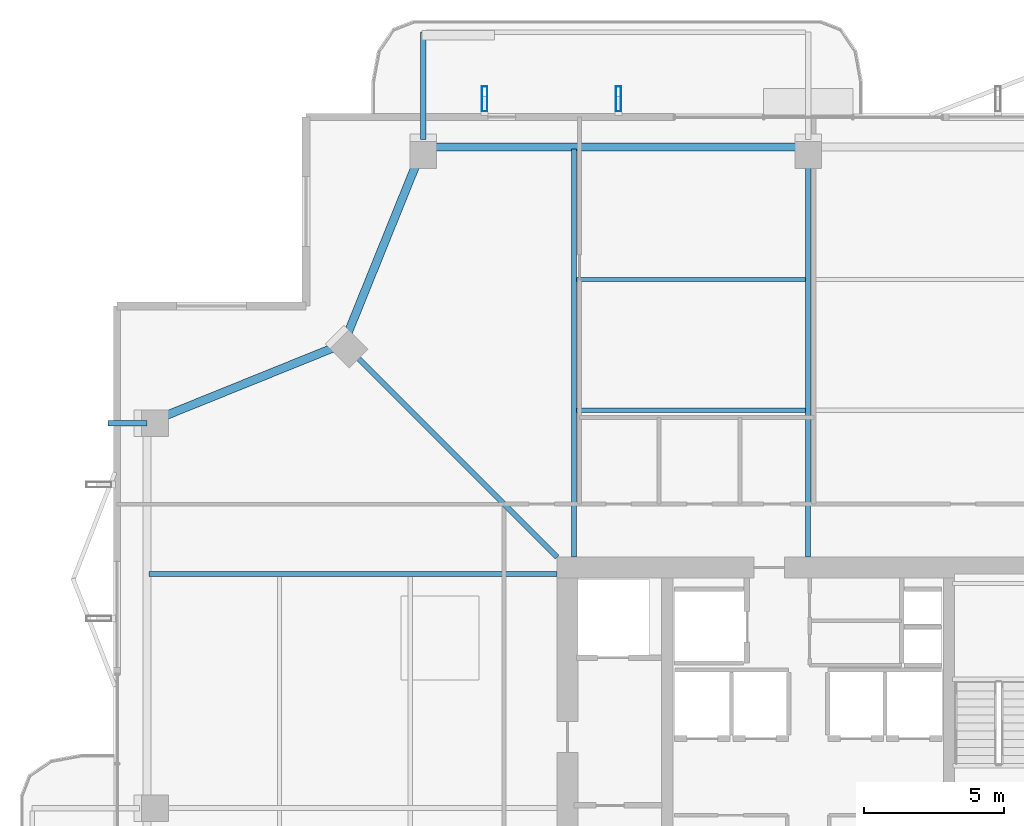
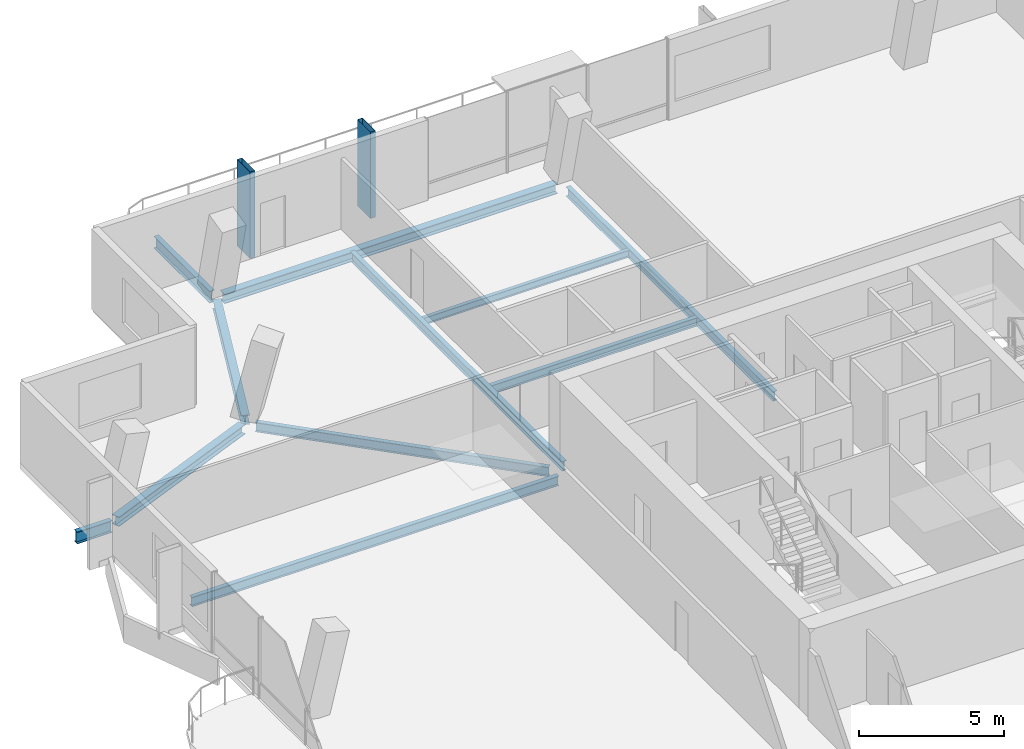
# One storey, part 12 of 25: 11 beams, 2 members.
"""IFC4 building model written with IfcOpenShell, lengths in metres."""

from ifc_helpers import new_model, si_unit, direction, frame, origin, origin_2d, place, context, subcontext, project, spatial, hollow_rectangle, i_section, extrude, material, material_profile, profile_set, type_object, element, save


model = new_model("IFC4")

# Units and contexts
model_context = context("Model", 3, precision=1e-05, world=origin(), true_north=direction((0.0, 1.0)))
body_context = subcontext(model_context, "Body", "Model", "MODEL_VIEW")
ifc_project = project(units=[si_unit("LENGTHUNIT", "METRE"), si_unit("AREAUNIT", "SQUARE_METRE"), si_unit("VOLUMEUNIT", "CUBIC_METRE"), si_unit("PLANEANGLEUNIT", "RADIAN"), si_unit("MASSUNIT", "GRAM", prefix="KILO")], contexts=[model_context])

# Site, building, storey
site_placement = place(None, origin())
site = spatial("IfcSite", under=ifc_project, at=site_placement, CompositionType="ELEMENT")
building_placement = place(site_placement, origin())
building = spatial("IfcBuilding", under=site, at=building_placement, Name="Belovzor Exchange Tower", CompositionType="ELEMENT")
storey_placement = place(building_placement, frame((0.0, 0.0, 280.35009765625)))
storey = spatial("IfcBuildingStorey", under=building, at=storey_placement, Name="L70", CompositionType="ELEMENT", Elevation=280.35009765625)

# Beams
ifc_material_1 = material(Name="Steel S355", Category="steel")
ifc_material_profile_1 = material_profile(ifc_material_1, i_section(OverallWidth=0.199951171875, OverallDepth=0.5, WebThickness=0.01025390625, FlangeThickness=0.01611328125, at=origin_2d()))
ifc_profile_set_1 = profile_set([ifc_material_profile_1], Name="Steel S355")
beam_type_1 = type_object("IfcBeamType", Name="Planted Balcony Cantilever Beam IPE 500", PredefinedType="BEAM", material=ifc_profile_set_1)
beam_1_placement = place(storey_placement, frame((15.0, 52.760986328125, -0.5), z_axis=(0.0, 1.0, 0.0), x_axis=(-1.0, 0.0, 0.0)))
element("IfcBeam", 1, at=beam_1_placement, inside=storey, type_object=beam_type_1, Name="BC-500 Planted Balcony Cantilever Beam IPE 500", PredefinedType="BEAM", context=body_context, shape_type="SweptSolid", body=[
    extrude(i_section(OverallWidth=0.199951171875, OverallDepth=0.5, WebThickness=0.01025390625, FlangeThickness=0.01611328125, at=origin_2d()), origin(), (0.0, 0.0, 1.0), 3.85009765625),
])
beam_2_placement = place(storey_placement, frame((5.10009765625, 42.60009765625, -0.5), z_axis=(-1.0, 0.0, 0.0), x_axis=(0.0, -1.0, 0.0)))
element("IfcBeam", 2, at=beam_2_placement, inside=storey, type_object=beam_type_1, Name="BC-500 Planted Balcony Cantilever Beam IPE 500", PredefinedType="BEAM", context=body_context, shape_type="SweptSolid", body=[
    extrude(i_section(OverallWidth=0.199951171875, OverallDepth=0.5, WebThickness=0.01025390625, FlangeThickness=0.01611328125, at=origin_2d()), origin(), (0.0, 0.0, 1.0), 1.400146484375),
])
ifc_material_2 = material(Name="Steel S355", Category="steel")
ifc_material_profile_2 = material_profile(ifc_material_2, i_section(OverallWidth=0.169921875, OverallDepth=0.360107421875, WebThickness=0.008056640625, FlangeThickness=0.0126953125, at=origin_2d()))
ifc_profile_set_2 = profile_set([ifc_material_profile_2], Name="Steel S355")
beam_type_2 = type_object("IfcBeamType", Name="Secondary Infill Floor Joist IPE 360", PredefinedType="BEAM", material=ifc_profile_set_2)
beam_3_placement = place(storey_placement, frame((20.489990234375, 43.06494140625, -0.43017578125), z_axis=(1.0, 0.0, 0.0), x_axis=(0.0, 1.0, 0.0)))
element("IfcBeam", 3, at=beam_3_placement, inside=storey, type_object=beam_type_2, Name="FJ-360 Secondary Infill Floor Joist IPE 360", PredefinedType="BEAM", context=body_context, shape_type="SweptSolid", body=[
    extrude(i_section(OverallWidth=0.169921875, OverallDepth=0.360107421875, WebThickness=0.008056640625, FlangeThickness=0.0126953125, at=origin_2d()), origin(), (0.0, 0.0, 1.0), 8.219970703125),
])
ifc_material_3 = material(Name="Steel S355", Category="steel")
ifc_material_profile_3 = material_profile(ifc_material_3, i_section(OverallWidth=0.14990234375, OverallDepth=0.300048828125, WebThickness=0.007080078125, FlangeThickness=0.0107421875, at=origin_2d()))
ifc_profile_set_3 = profile_set([ifc_material_profile_3], Name="Steel S355")
beam_type_3 = type_object("IfcBeamType", Name="Secondary Trim Floor Joist IPE 300", PredefinedType="BEAM", material=ifc_profile_set_3)
beam_4_placement = place(storey_placement, frame((20.489990234375, 47.7451171875, -0.400146484375), z_axis=(1.0, 0.0, 0.0), x_axis=(0.0, 1.0, 0.0)))
element("IfcBeam", 4, at=beam_4_placement, inside=storey, type_object=beam_type_3, Name="FJ-300 Secondary Trim Floor Joist IPE 300", PredefinedType="BEAM", context=body_context, shape_type="SweptSolid", body=[
    extrude(i_section(OverallWidth=0.14990234375, OverallDepth=0.300048828125, WebThickness=0.007080078125, FlangeThickness=0.0107421875, at=origin_2d()), origin(), (0.0, 0.0, 1.0), 8.219970703125),
])

# Members
ifc_material_4 = material(Name="Extruded Architectural Terracotta on Steel S355 Carrier", Category="masonry")
ifc_material_profile_4 = material_profile(ifc_material_4, hollow_rectangle(XDim=0.199951171875, YDim=0.89990234375, WallThickness=0.011962890625, at=origin_2d()))
ifc_profile_set_4 = profile_set([ifc_material_profile_4], Name="Extruded Architectural Terracotta on Steel S355 Carrier")
member_type = type_object("IfcMemberType", Name="Sweeping Terracotta Baguette Fin Assembly 950", PredefinedType="USERDEFINED", material=ifc_profile_set_4)
for number, where, z_axis, x_axis, name in (
    (5, (17.199951171875, 54.22509765625, -0.25), (0.0, 0.0, 1.0), (1.0, 0.0, 0.0), "FIN-TC095 Terracotta Facade Fin L70 N1"),
    (6, (22.0, 54.22509765625, -0.25), (0.0, 0.0, 1.0), (1.0, 0.0, 0.0), "FIN-TC095 Terracotta Facade Fin L70 N2"),
):
    element("IfcMember", number, at=place(storey_placement, frame(where, z_axis=z_axis, x_axis=x_axis)), inside=storey, type_object=member_type, Name=name, ObjectType="FIN", PredefinedType="USERDEFINED", context=body_context, shape_type="SweptSolid", body=[
        extrude(hollow_rectangle(XDim=0.199951171875, YDim=0.89990234375, WallThickness=0.011962890625, at=origin_2d()), origin(), (0.0, 0.0, 1.0), 3.639892578125),
    ])

# Beams
ifc_material_5 = material(Name="Steel S355", Category="steel")
ifc_material_profile_5 = material_profile(ifc_material_5, i_section(OverallWidth=0.300048828125, OverallDepth=0.39990234375, WebThickness=0.013427734375, FlangeThickness=0.02392578125, at=origin_2d()))
ifc_profile_set_5 = profile_set([ifc_material_profile_5], Name="Steel S355")
beam_type_4 = type_object("IfcBeamType", Name="Zone 5 Primary Girder HEB 400", PredefinedType="BEAM", material=ifc_profile_set_5)
beam_5_placement = place(storey_placement, frame((28.5390625, 52.5, -0.4501953125), z_axis=(-1.0, 0.0, 0.0), x_axis=(0.0, -1.0, 0.0)))
element("IfcBeam", 7, at=beam_5_placement, inside=storey, type_object=beam_type_4, Name="FG-Z5 Zone 5 Primary Girder HEB 400", PredefinedType="BEAM", context=body_context, shape_type="SweptSolid", body=[
    extrude(i_section(OverallWidth=0.300048828125, OverallDepth=0.39990234375, WebThickness=0.013427734375, FlangeThickness=0.02392578125, at=origin_2d()), origin(), (0.0, 0.0, 1.0), 13.278076171875),
])
beam_6_placement = place(storey_placement, frame((14.902099609375, 52.258056640625, -0.4501953125), z_axis=(-0.374746306278, -0.927127394661, 0.0), x_axis=(0.927127394661, -0.374746306278, 0.0)))
element("IfcBeam", 8, at=beam_6_placement, inside=storey, type_object=beam_type_4, Name="FG-Z5 Zone 5 Primary Girder HEB 400", PredefinedType="BEAM", context=body_context, shape_type="SweptSolid", body=[
    extrude(i_section(OverallWidth=0.300048828125, OverallDepth=0.39990234375, WebThickness=0.013427734375, FlangeThickness=0.02392578125, at=origin_2d()), origin(), (0.0, 0.0, 1.0), 7.082275390625),
])
beam_7_placement = place(storey_placement, frame((11.907958984375, 45.35205078125, -0.4501953125), z_axis=(-0.927122553345, -0.374758283536, 0.0), x_axis=(0.374758283536, -0.927122553345, 0.0)))
element("IfcBeam", 9, at=beam_7_placement, inside=storey, type_object=beam_type_4, Name="FG-Z5 Zone 5 Primary Girder HEB 400", PredefinedType="BEAM", context=body_context, shape_type="SweptSolid", body=[
    extrude(i_section(OverallWidth=0.300048828125, OverallDepth=0.39990234375, WebThickness=0.013427734375, FlangeThickness=0.02392578125, at=origin_2d()), origin(), (0.0, 0.0, 1.0), 7.08203125),
])
ifc_material_6 = material(Name="Steel S355", Category="steel")
ifc_material_profile_6 = material_profile(ifc_material_6, i_section(OverallWidth=0.179931640625, OverallDepth=0.39990234375, WebThickness=0.008544921875, FlangeThickness=0.013427734375, at=origin_2d()))
ifc_profile_set_6 = profile_set([ifc_material_profile_6], Name="Steel S355")
beam_type_5 = type_object("IfcBeamType", Name="Zone 5-6 Radial Composite Floor Beam IPE 400", PredefinedType="BEAM", material=ifc_profile_set_6)
beam_8_placement = place(storey_placement, frame((20.39990234375, 37.800048828125, -0.4501953125), z_axis=(0.0, 1.0, 0.0), x_axis=(-1.0, 0.0, 0.0)))
element("IfcBeam", 10, at=beam_8_placement, inside=storey, type_object=beam_type_5, Name="FB-400 Zone 5-6 Radial Composite Floor Beam IPE 400", PredefinedType="BEAM", context=body_context, shape_type="SweptSolid", body=[
    extrude(i_section(OverallWidth=0.179931640625, OverallDepth=0.39990234375, WebThickness=0.008544921875, FlangeThickness=0.013427734375, at=origin_2d()), origin(), (0.0, 0.0, 1.0), 14.625),
])
beam_9_placement = place(storey_placement, frame((28.800048828125, 37.800048828125, -0.4501953125), z_axis=(0.0, 1.0, 0.0), x_axis=(-1.0, 0.0, 0.0)))
element("IfcBeam", 11, at=beam_9_placement, inside=storey, type_object=beam_type_5, Name="FB-400 Zone 5-6 Radial Composite Floor Beam IPE 400", PredefinedType="BEAM", context=body_context, shape_type="SweptSolid", body=[
    extrude(i_section(OverallWidth=0.179931640625, OverallDepth=0.39990234375, WebThickness=0.008544921875, FlangeThickness=0.013427734375, at=origin_2d()), origin(), (0.0, 0.0, 1.0), 14.281982421875),
])
beam_10_placement = place(storey_placement, frame((19.800048828125, 37.199951171875, -0.4501953125), z_axis=(-1.0, 0.0, 0.0), x_axis=(0.0, -1.0, 0.0)))
element("IfcBeam", 12, at=beam_10_placement, inside=storey, type_object=beam_type_5, Name="FB-400 Zone 5-6 Radial Composite Floor Beam IPE 400", PredefinedType="BEAM", context=body_context, shape_type="SweptSolid", body=[
    extrude(i_section(OverallWidth=0.179931640625, OverallDepth=0.39990234375, WebThickness=0.008544921875, FlangeThickness=0.013427734375, at=origin_2d()), origin(), (0.0, 0.0, 1.0), 14.625),
])
beam_11_placement = place(storey_placement, frame((19.800048828125, 37.800048828125, -0.4501953125), z_axis=(-0.707071845944, 0.707141714703, 0.0), x_axis=(-0.707141714703, -0.707071845944, 0.0)))
element("IfcBeam", 13, at=beam_11_placement, inside=storey, type_object=beam_type_5, Name="FB-400 Zone 5-6 Radial Composite Floor Beam IPE 400", PredefinedType="BEAM", context=body_context, shape_type="SweptSolid", body=[
    extrude(i_section(OverallWidth=0.179931640625, OverallDepth=0.39990234375, WebThickness=0.008544921875, FlangeThickness=0.013427734375, at=origin_2d()), origin(), (0.0, 0.0, 1.0), 10.48291015625),
])

save(model, "model.ifc")
